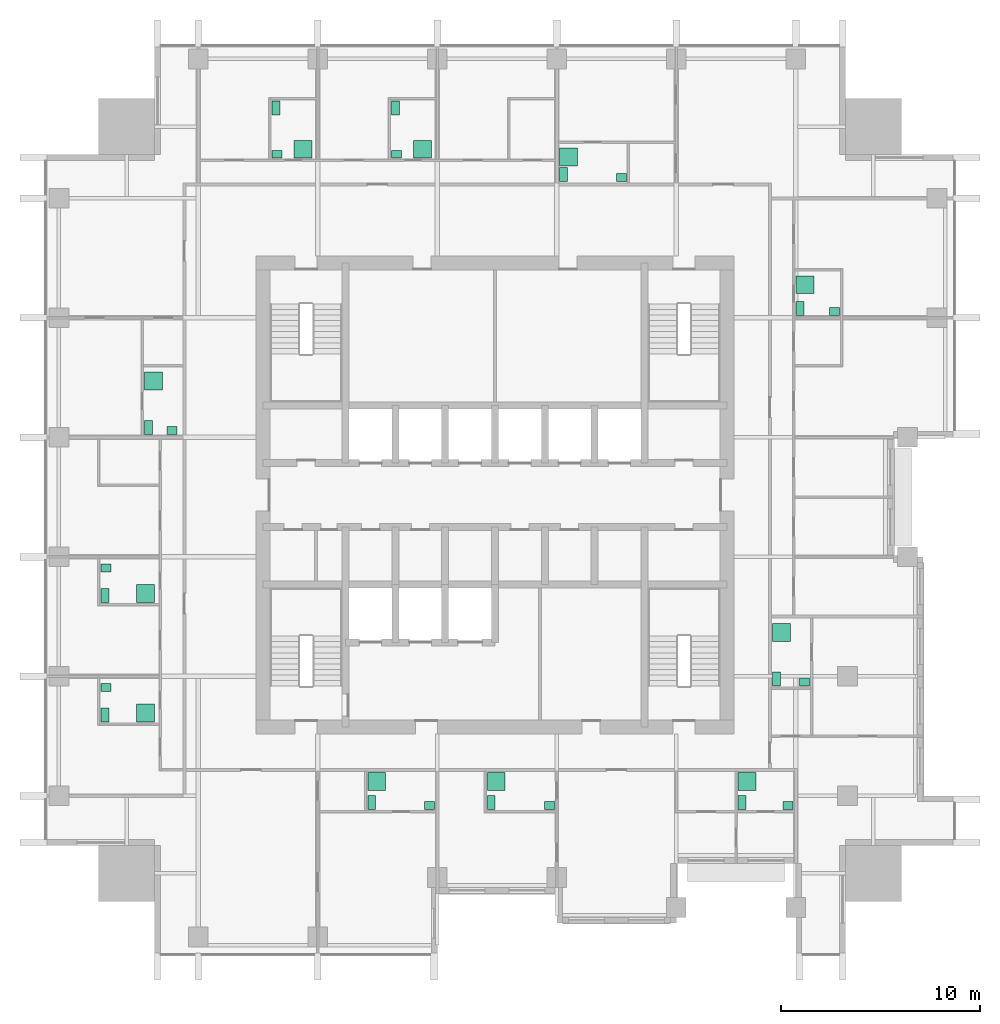
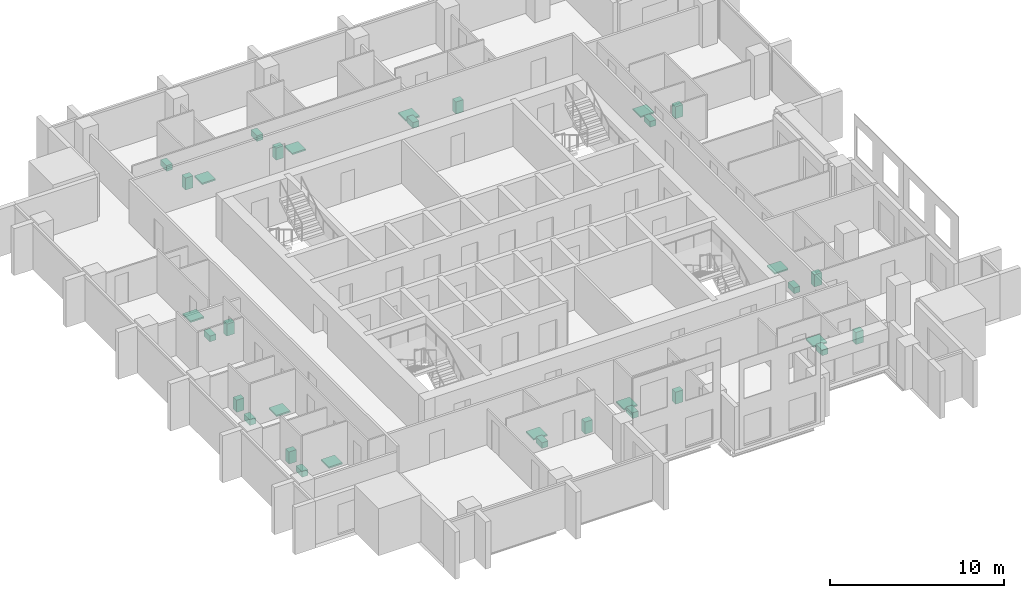
# One storey, part 11 of 11: 33 sanitary terminals.
"""IFC4 building model written with IfcOpenShell, lengths in metres."""

from ifc_helpers import new_model, si_unit, direction, frame, origin, origin_2d, place, context, subcontext, project, spatial, rectangle, extrude, element, save


model = new_model("IFC4")

# Units and contexts
model_context = context("Model", 3, precision=1e-05, world=origin(), true_north=direction((0.0, 1.0)))
body_context = subcontext(model_context, "Body", "Model", "MODEL_VIEW")
ifc_project = project(units=[si_unit("LENGTHUNIT", "METRE"), si_unit("AREAUNIT", "SQUARE_METRE"), si_unit("VOLUMEUNIT", "CUBIC_METRE"), si_unit("PLANEANGLEUNIT", "RADIAN"), si_unit("MASSUNIT", "GRAM", prefix="KILO")], contexts=[model_context])

# Site, building, storey
site_placement = place(None, origin())
site = spatial("IfcSite", under=ifc_project, at=site_placement, CompositionType="ELEMENT")
building_placement = place(site_placement, origin())
building = spatial("IfcBuilding", under=site, at=building_placement, Name="Amberfall Residences", CompositionType="ELEMENT")
storey_placement = place(building_placement, frame((0.0, 0.0, 171.39990234375)))
storey = spatial("IfcBuildingStorey", under=building, at=storey_placement, Name="L46", CompositionType="ELEMENT", Elevation=171.39990234375)

# Sanitary terminals
sanitary_terminal_1_placement = place(storey_placement, frame((68.31005859375, 30.06005859375, 0.000244140625), z_axis=(0.0, 0.0, 1.0), x_axis=(1.0, 0.0, 0.0)))
element("IfcSanitaryTerminal", 1, at=sanitary_terminal_1_placement, inside=storey, Name="Water closet 4601", PredefinedType="TOILETPAN", context=body_context, shape_type="SweptSolid", body=[
    extrude(rectangle(XDim=0.39990234375, YDim=0.699951171875, at=origin_2d()), origin(), (0.0, 0.0, 1.0), 0.39990234375),
])
sanitary_terminal_2_placement = place(storey_placement, frame((71.215087890625, 29.909912109375, 0.0), z_axis=(0.0, 0.0, 1.0), x_axis=(1.0, 0.0, 0.0)))
element("IfcSanitaryTerminal", 2, at=sanitary_terminal_2_placement, inside=storey, Name="Basin 4601", PredefinedType="WASHHANDBASIN", context=body_context, shape_type="SweptSolid", body=[
    extrude(rectangle(XDim=0.5, YDim=0.39990234375, at=origin_2d()), origin(), (0.0, 0.0, 1.0), 0.85009765625),
])
sanitary_terminal_3_placement = place(storey_placement, frame((68.56005859375, 31.114990234375, 0.0), z_axis=(0.0, 0.0, 1.0), x_axis=(1.0, 0.0, 0.0)))
element("IfcSanitaryTerminal", 3, at=sanitary_terminal_3_placement, inside=storey, Name="Shower tray 4601", PredefinedType="SHOWER", context=body_context, shape_type="SweptSolid", body=[
    extrude(rectangle(XDim=0.89990234375, YDim=0.89990234375, at=origin_2d()), origin(), (0.0, 0.0, 1.0), 0.10009765625),
])
sanitary_terminal_4_placement = place(storey_placement, frame((74.31005859375, 30.06005859375, 0.000244140625), z_axis=(0.0, 0.0, 1.0), x_axis=(1.0, 0.0, 0.0)))
element("IfcSanitaryTerminal", 4, at=sanitary_terminal_4_placement, inside=storey, Name="Water closet 4602", PredefinedType="TOILETPAN", context=body_context, shape_type="SweptSolid", body=[
    extrude(rectangle(XDim=0.39990234375, YDim=0.699951171875, at=origin_2d()), origin(), (0.0, 0.0, 1.0), 0.39990234375),
])
sanitary_terminal_5_placement = place(storey_placement, frame((77.239990234375, 29.909912109375, 0.0), z_axis=(0.0, 0.0, 1.0), x_axis=(1.0, 0.0, 0.0)))
element("IfcSanitaryTerminal", 5, at=sanitary_terminal_5_placement, inside=storey, Name="Basin 4602", PredefinedType="WASHHANDBASIN", context=body_context, shape_type="SweptSolid", body=[
    extrude(rectangle(XDim=0.5, YDim=0.39990234375, at=origin_2d()), origin(), (0.0, 0.0, 1.0), 0.85009765625),
])
sanitary_terminal_6_placement = place(storey_placement, frame((74.56005859375, 31.114990234375, 0.0), z_axis=(0.0, 0.0, 1.0), x_axis=(1.0, 0.0, 0.0)))
element("IfcSanitaryTerminal", 6, at=sanitary_terminal_6_placement, inside=storey, Name="Shower tray 4602", PredefinedType="SHOWER", context=body_context, shape_type="SweptSolid", body=[
    extrude(rectangle(XDim=0.89990234375, YDim=0.89990234375, at=origin_2d()), origin(), (0.0, 0.0, 1.0), 0.10009765625),
])
sanitary_terminal_7_placement = place(storey_placement, frame((86.909912109375, 30.06005859375, 0.000244140625), z_axis=(0.0, 0.0, 1.0), x_axis=(1.0, 0.0, 0.0)))
element("IfcSanitaryTerminal", 7, at=sanitary_terminal_7_placement, inside=storey, Name="Water closet 4602", PredefinedType="TOILETPAN", context=body_context, shape_type="SweptSolid", body=[
    extrude(rectangle(XDim=0.39990234375, YDim=0.699951171875, at=origin_2d()), origin(), (0.0, 0.0, 1.0), 0.39990234375),
])
sanitary_terminal_8_placement = place(storey_placement, frame((89.215087890625, 29.909912109375, 0.0), z_axis=(0.0, 0.0, 1.0), x_axis=(1.0, 0.0, 0.0)))
element("IfcSanitaryTerminal", 8, at=sanitary_terminal_8_placement, inside=storey, Name="Basin 4602", PredefinedType="WASHHANDBASIN", context=body_context, shape_type="SweptSolid", body=[
    extrude(rectangle(XDim=0.5, YDim=0.39990234375, at=origin_2d()), origin(), (0.0, 0.0, 1.0), 0.85009765625),
])
sanitary_terminal_9_placement = place(storey_placement, frame((87.159912109375, 31.114990234375, 0.0), z_axis=(0.0, 0.0, 1.0), x_axis=(1.0, 0.0, 0.0)))
element("IfcSanitaryTerminal", 9, at=sanitary_terminal_9_placement, inside=storey, Name="Shower tray 4602", PredefinedType="SHOWER", context=body_context, shape_type="SweptSolid", body=[
    extrude(rectangle(XDim=0.89990234375, YDim=0.89990234375, at=origin_2d()), origin(), (0.0, 0.0, 1.0), 0.10009765625),
])
sanitary_terminal_10_placement = place(storey_placement, frame((88.635009765625, 36.260009765625, 0.000244140625), z_axis=(0.0, 0.0, 1.0), x_axis=(1.0, 0.0, 0.0)))
element("IfcSanitaryTerminal", 10, at=sanitary_terminal_10_placement, inside=storey, Name="Water closet 4603", PredefinedType="TOILETPAN", context=body_context, shape_type="SweptSolid", body=[
    extrude(rectangle(XDim=0.39990234375, YDim=0.699951171875, at=origin_2d()), origin(), (0.0, 0.0, 1.0), 0.39990234375),
])
sanitary_terminal_11_placement = place(storey_placement, frame((90.0400390625, 36.110107421875, 0.0), z_axis=(0.0, 0.0, 1.0), x_axis=(1.0, 0.0, 0.0)))
element("IfcSanitaryTerminal", 11, at=sanitary_terminal_11_placement, inside=storey, Name="Basin 4603", PredefinedType="WASHHANDBASIN", context=body_context, shape_type="SweptSolid", body=[
    extrude(rectangle(XDim=0.5, YDim=0.39990234375, at=origin_2d()), origin(), (0.0, 0.0, 1.0), 0.85009765625),
])
sanitary_terminal_12_placement = place(storey_placement, frame((88.885009765625, 38.591796875, 0.0), z_axis=(0.0, 0.0, 1.0), x_axis=(1.0, 0.0, 0.0)))
element("IfcSanitaryTerminal", 12, at=sanitary_terminal_12_placement, inside=storey, Name="Shower tray 4603", PredefinedType="SHOWER", context=body_context, shape_type="SweptSolid", body=[
    extrude(rectangle(XDim=0.89990234375, YDim=0.89990234375, at=origin_2d()), origin(), (0.0, 0.0, 1.0), 0.10009765625),
])
sanitary_terminal_13_placement = place(storey_placement, frame((89.81005859375, 54.860107421875, 0.000244140625), z_axis=(0.0, 0.0, 1.0), x_axis=(1.0, 0.0, 0.0)))
element("IfcSanitaryTerminal", 13, at=sanitary_terminal_13_placement, inside=storey, Name="Water closet 4604", PredefinedType="TOILETPAN", context=body_context, shape_type="SweptSolid", body=[
    extrude(rectangle(XDim=0.39990234375, YDim=0.699951171875, at=origin_2d()), origin(), (0.0, 0.0, 1.0), 0.39990234375),
])
sanitary_terminal_14_placement = place(storey_placement, frame((91.5400390625, 54.7099609375, 0.0), z_axis=(0.0, 0.0, 1.0), x_axis=(1.0, 0.0, 0.0)))
element("IfcSanitaryTerminal", 14, at=sanitary_terminal_14_placement, inside=storey, Name="Basin 4604", PredefinedType="WASHHANDBASIN", context=body_context, shape_type="SweptSolid", body=[
    extrude(rectangle(XDim=0.5, YDim=0.39990234375, at=origin_2d()), origin(), (0.0, 0.0, 1.0), 0.85009765625),
])
sanitary_terminal_15_placement = place(storey_placement, frame((90.06005859375, 56.05712890625, 0.0), z_axis=(0.0, 0.0, 1.0), x_axis=(1.0, 0.0, 0.0)))
element("IfcSanitaryTerminal", 15, at=sanitary_terminal_15_placement, inside=storey, Name="Shower tray 4604", PredefinedType="SHOWER", context=body_context, shape_type="SweptSolid", body=[
    extrude(rectangle(XDim=0.89990234375, YDim=0.89990234375, at=origin_2d()), origin(), (0.0, 0.0, 1.0), 0.10009765625),
])
sanitary_terminal_16_placement = place(storey_placement, frame((63.510009765625, 64.93994140625, 0.000244140625), z_axis=(0.0, 0.0, 1.0), x_axis=(1.0, 0.0, 0.0)))
element("IfcSanitaryTerminal", 16, at=sanitary_terminal_16_placement, inside=storey, Name="Water closet 4605", PredefinedType="TOILETPAN", context=body_context, shape_type="SweptSolid", body=[
    extrude(rectangle(XDim=0.39990234375, YDim=0.699951171875, at=origin_2d()), origin(), (0.0, 0.0, 1.0), 0.39990234375),
])
sanitary_terminal_17_placement = place(storey_placement, frame((63.56005859375, 62.610107421875, 0.0), z_axis=(0.0, 0.0, 1.0), x_axis=(1.0, 0.0, 0.0)))
element("IfcSanitaryTerminal", 17, at=sanitary_terminal_17_placement, inside=storey, Name="Basin 4605", PredefinedType="WASHHANDBASIN", context=body_context, shape_type="SweptSolid", body=[
    extrude(rectangle(XDim=0.5, YDim=0.39990234375, at=origin_2d()), origin(), (0.0, 0.0, 1.0), 0.85009765625),
])
sanitary_terminal_18_placement = place(storey_placement, frame((64.857177734375, 62.860107421875, 0.0), z_axis=(0.0, 0.0, 1.0), x_axis=(1.0, 0.0, 0.0)))
element("IfcSanitaryTerminal", 18, at=sanitary_terminal_18_placement, inside=storey, Name="Shower tray 4605", PredefinedType="SHOWER", context=body_context, shape_type="SweptSolid", body=[
    extrude(rectangle(XDim=0.89990234375, YDim=0.89990234375, at=origin_2d()), origin(), (0.0, 0.0, 1.0), 0.10009765625),
])
sanitary_terminal_19_placement = place(storey_placement, frame((69.510009765625, 64.93994140625, 0.000244140625), z_axis=(0.0, 0.0, 1.0), x_axis=(1.0, 0.0, 0.0)))
element("IfcSanitaryTerminal", 19, at=sanitary_terminal_19_placement, inside=storey, Name="Water closet 4605", PredefinedType="TOILETPAN", context=body_context, shape_type="SweptSolid", body=[
    extrude(rectangle(XDim=0.39990234375, YDim=0.699951171875, at=origin_2d()), origin(), (0.0, 0.0, 1.0), 0.39990234375),
])
sanitary_terminal_20_placement = place(storey_placement, frame((69.56005859375, 62.610107421875, 0.0), z_axis=(0.0, 0.0, 1.0), x_axis=(1.0, 0.0, 0.0)))
element("IfcSanitaryTerminal", 20, at=sanitary_terminal_20_placement, inside=storey, Name="Basin 4605", PredefinedType="WASHHANDBASIN", context=body_context, shape_type="SweptSolid", body=[
    extrude(rectangle(XDim=0.5, YDim=0.39990234375, at=origin_2d()), origin(), (0.0, 0.0, 1.0), 0.85009765625),
])
sanitary_terminal_21_placement = place(storey_placement, frame((70.857177734375, 62.860107421875, 0.0), z_axis=(0.0, 0.0, 1.0), x_axis=(1.0, 0.0, 0.0)))
element("IfcSanitaryTerminal", 21, at=sanitary_terminal_21_placement, inside=storey, Name="Shower tray 4605", PredefinedType="SHOWER", context=body_context, shape_type="SweptSolid", body=[
    extrude(rectangle(XDim=0.89990234375, YDim=0.89990234375, at=origin_2d()), origin(), (0.0, 0.0, 1.0), 0.10009765625),
])
sanitary_terminal_22_placement = place(storey_placement, frame((77.93505859375, 61.5849609375, 0.000244140625), z_axis=(0.0, 0.0, 1.0), x_axis=(1.0, 0.0, 0.0)))
element("IfcSanitaryTerminal", 22, at=sanitary_terminal_22_placement, inside=storey, Name="Water closet 4606", PredefinedType="TOILETPAN", context=body_context, shape_type="SweptSolid", body=[
    extrude(rectangle(XDim=0.39990234375, YDim=0.699951171875, at=origin_2d()), origin(), (0.0, 0.0, 1.0), 0.39990234375),
])
sanitary_terminal_23_placement = place(storey_placement, frame((80.840087890625, 61.43505859375, 0.0), z_axis=(0.0, 0.0, 1.0), x_axis=(1.0, 0.0, 0.0)))
element("IfcSanitaryTerminal", 23, at=sanitary_terminal_23_placement, inside=storey, Name="Basin 4606", PredefinedType="WASHHANDBASIN", context=body_context, shape_type="SweptSolid", body=[
    extrude(rectangle(XDim=0.5, YDim=0.39990234375, at=origin_2d()), origin(), (0.0, 0.0, 1.0), 0.85009765625),
])
sanitary_terminal_24_placement = place(storey_placement, frame((78.18505859375, 62.480712890625, 0.0), z_axis=(0.0, 0.0, 1.0), x_axis=(1.0, 0.0, 0.0)))
element("IfcSanitaryTerminal", 24, at=sanitary_terminal_24_placement, inside=storey, Name="Shower tray 4606", PredefinedType="SHOWER", context=body_context, shape_type="SweptSolid", body=[
    extrude(rectangle(XDim=0.89990234375, YDim=0.89990234375, at=origin_2d()), origin(), (0.0, 0.0, 1.0), 0.10009765625),
])
sanitary_terminal_25_placement = place(storey_placement, frame((54.909912109375, 34.4599609375, 0.000244140625), z_axis=(0.0, 0.0, 1.0), x_axis=(1.0, 0.0, 0.0)))
element("IfcSanitaryTerminal", 25, at=sanitary_terminal_25_placement, inside=storey, Name="Water closet 4607", PredefinedType="TOILETPAN", context=body_context, shape_type="SweptSolid", body=[
    extrude(rectangle(XDim=0.39990234375, YDim=0.699951171875, at=origin_2d()), origin(), (0.0, 0.0, 1.0), 0.39990234375),
])
sanitary_terminal_26_placement = place(storey_placement, frame((54.9599609375, 35.835693359375, 0.0), z_axis=(0.0, 0.0, 1.0), x_axis=(1.0, 0.0, 0.0)))
element("IfcSanitaryTerminal", 26, at=sanitary_terminal_26_placement, inside=storey, Name="Basin 4607", PredefinedType="WASHHANDBASIN", context=body_context, shape_type="SweptSolid", body=[
    extrude(rectangle(XDim=0.5, YDim=0.39990234375, at=origin_2d()), origin(), (0.0, 0.0, 1.0), 0.85009765625),
])
sanitary_terminal_27_placement = place(storey_placement, frame((56.94189453125, 34.56005859375, 0.0), z_axis=(0.0, 0.0, 1.0), x_axis=(1.0, 0.0, 0.0)))
element("IfcSanitaryTerminal", 27, at=sanitary_terminal_27_placement, inside=storey, Name="Shower tray 4607", PredefinedType="SHOWER", context=body_context, shape_type="SweptSolid", body=[
    extrude(rectangle(XDim=0.89990234375, YDim=0.89990234375, at=origin_2d()), origin(), (0.0, 0.0, 1.0), 0.10009765625),
])
sanitary_terminal_28_placement = place(storey_placement, frame((54.909912109375, 40.4599609375, 0.000244140625), z_axis=(0.0, 0.0, 1.0), x_axis=(1.0, 0.0, 0.0)))
element("IfcSanitaryTerminal", 28, at=sanitary_terminal_28_placement, inside=storey, Name="Water closet 4607", PredefinedType="TOILETPAN", context=body_context, shape_type="SweptSolid", body=[
    extrude(rectangle(XDim=0.39990234375, YDim=0.699951171875, at=origin_2d()), origin(), (0.0, 0.0, 1.0), 0.39990234375),
])
sanitary_terminal_29_placement = place(storey_placement, frame((54.9599609375, 41.835693359375, 0.0), z_axis=(0.0, 0.0, 1.0), x_axis=(1.0, 0.0, 0.0)))
element("IfcSanitaryTerminal", 29, at=sanitary_terminal_29_placement, inside=storey, Name="Basin 4607", PredefinedType="WASHHANDBASIN", context=body_context, shape_type="SweptSolid", body=[
    extrude(rectangle(XDim=0.5, YDim=0.39990234375, at=origin_2d()), origin(), (0.0, 0.0, 1.0), 0.85009765625),
])
sanitary_terminal_30_placement = place(storey_placement, frame((56.94189453125, 40.56005859375, 0.0), z_axis=(0.0, 0.0, 1.0), x_axis=(1.0, 0.0, 0.0)))
element("IfcSanitaryTerminal", 30, at=sanitary_terminal_30_placement, inside=storey, Name="Shower tray 4607", PredefinedType="SHOWER", context=body_context, shape_type="SweptSolid", body=[
    extrude(rectangle(XDim=0.89990234375, YDim=0.89990234375, at=origin_2d()), origin(), (0.0, 0.0, 1.0), 0.10009765625),
])
sanitary_terminal_31_placement = place(storey_placement, frame((57.110107421875, 48.885009765625, 0.000244140625), z_axis=(0.0, 0.0, 1.0), x_axis=(1.0, 0.0, 0.0)))
element("IfcSanitaryTerminal", 31, at=sanitary_terminal_31_placement, inside=storey, Name="Water closet 4608", PredefinedType="TOILETPAN", context=body_context, shape_type="SweptSolid", body=[
    extrude(rectangle(XDim=0.39990234375, YDim=0.699951171875, at=origin_2d()), origin(), (0.0, 0.0, 1.0), 0.39990234375),
])
sanitary_terminal_32_placement = place(storey_placement, frame((58.2890625, 48.735107421875, 0.0), z_axis=(0.0, 0.0, 1.0), x_axis=(1.0, 0.0, 0.0)))
element("IfcSanitaryTerminal", 32, at=sanitary_terminal_32_placement, inside=storey, Name="Basin 4608", PredefinedType="WASHHANDBASIN", context=body_context, shape_type="SweptSolid", body=[
    extrude(rectangle(XDim=0.5, YDim=0.39990234375, at=origin_2d()), origin(), (0.0, 0.0, 1.0), 0.85009765625),
])
sanitary_terminal_33_placement = place(storey_placement, frame((57.360107421875, 51.216796875, 0.0), z_axis=(0.0, 0.0, 1.0), x_axis=(1.0, 0.0, 0.0)))
element("IfcSanitaryTerminal", 33, at=sanitary_terminal_33_placement, inside=storey, Name="Shower tray 4608", PredefinedType="SHOWER", context=body_context, shape_type="SweptSolid", body=[
    extrude(rectangle(XDim=0.89990234375, YDim=0.89990234375, at=origin_2d()), origin(), (0.0, 0.0, 1.0), 0.10009765625),
])

save(model, "model.ifc")
